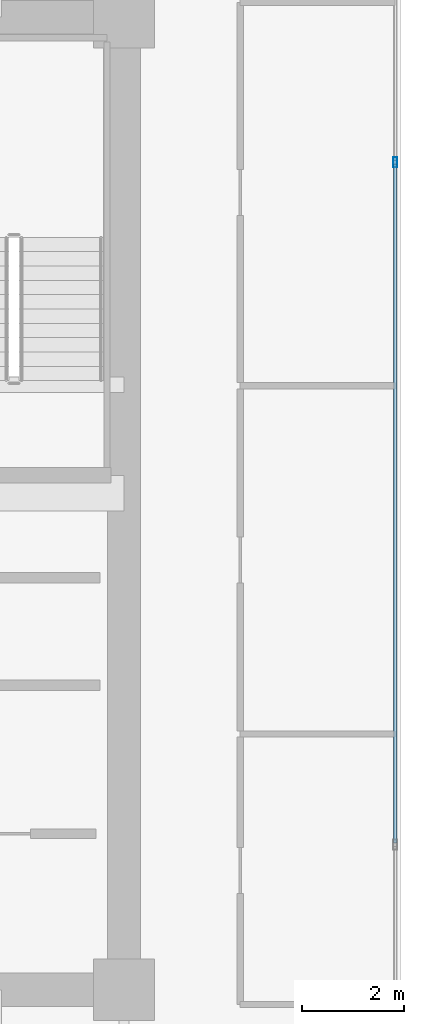
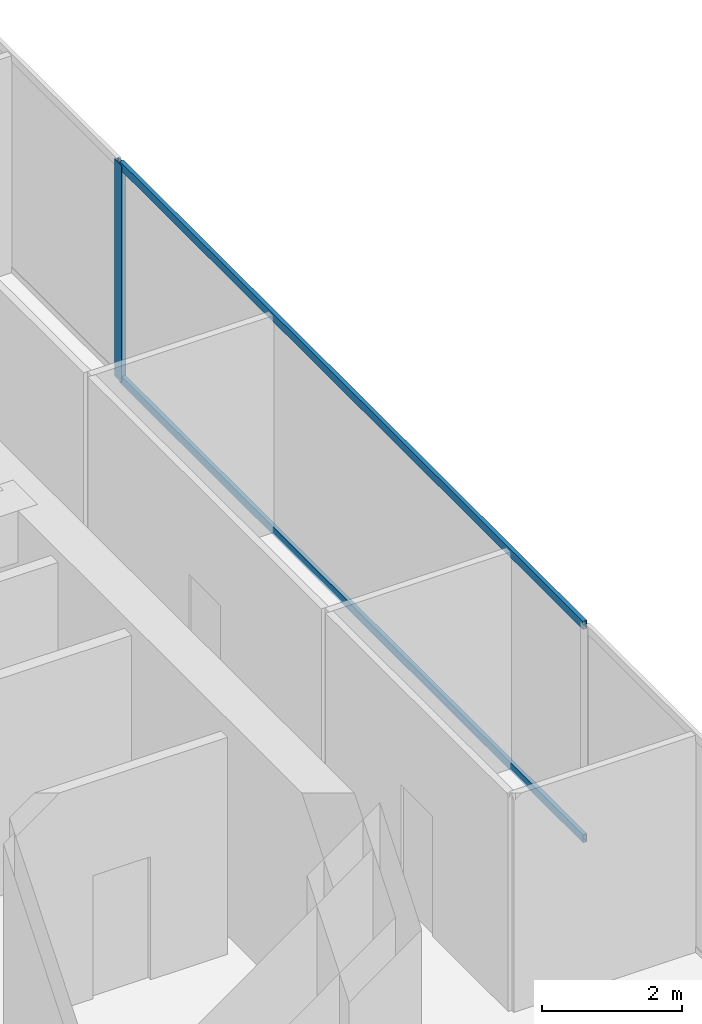
# One storey, part 22 of 30: 3 members, 1 element without a shape of its own.
"""IFC4 building model written with IfcOpenShell, lengths in metres."""

import ifcopenshell
import ifcopenshell.guid

model = None  # the IFC model being written
_history = None  # IfcOwnerHistory: only IFC2X3 demands one
_inside = {}  # id of a spatial element -> (the spatial element, [elements in it])
_under = {}  # id of a project, library or spatial element -> (it, [spatial elements below it])
_declared = {}  # id of a project -> (the project, [libraries it declares])
_typed = {}  # id of a type object -> (the type object, [elements of that type])
_made_of = {}  # id of a material, layer set ... -> (it, [elements and type objects made of it])


def new_model(schema):
    """Start an empty IFC model of exactly this schema.

    Asked for "IFC4X3", IfcOpenShell would pick the latest addendum, in which some entities
    have other attributes; the version numbers below select the first issue.
    IFC2X3 requires an IfcOwnerHistory on every rooted entity: one is made here for all.
    """
    global model, _history
    if schema == "IFC4X3":
        model = ifcopenshell.file(schema_version=(4, 3, 0, 0))
    else:
        model = ifcopenshell.file(schema=schema)
    _inside.clear()
    _under.clear()
    _declared.clear()
    _typed.clear()
    _made_of.clear()
    _history = None
    if model.schema == "IFC2X3":
        org = make("IfcOrganization", Name="unknown")
        user = make(
            "IfcPersonAndOrganization",
            ThePerson=make("IfcPerson", FamilyName="unknown"),
            TheOrganization=org,
        )
        app = make(
            "IfcApplication",
            ApplicationDeveloper=org,
            Version="unknown",
            ApplicationFullName="unknown",
            ApplicationIdentifier="unknown",
        )
        _history = make(
            "IfcOwnerHistory",
            OwningUser=user,
            OwningApplication=app,
            ChangeAction="ADDED",
            CreationDate=0,
        )
    return model


def make(cls, **values):
    """One entity of the class cls with the attributes given. An attribute that is None is left unset."""
    return model.create_entity(
        cls, **{name: value for name, value in values.items() if value is not None}
    )


def rooted(cls, **values):
    """An entity with a GlobalId (a new one), such as an element, a storey or a relation."""
    return make(cls, GlobalId=ifcopenshell.guid.new(), OwnerHistory=_history, **values)


def si_unit(unit_type, name, prefix=None):
    """IfcSIUnit, for example si_unit("LENGTHUNIT", "METRE", prefix="MILLI")."""
    return make("IfcSIUnit", UnitType=unit_type, Prefix=prefix, Name=name)


def assignment(units):
    """IfcUnitAssignment: the units of a project."""
    return None if units is None else make("IfcUnitAssignment", Units=units)


def point(xyz):
    """IfcCartesianPoint."""
    return None if xyz is None else make("IfcCartesianPoint", Coordinates=xyz)


def direction(xyz):
    """IfcDirection."""
    return None if xyz is None else make("IfcDirection", DirectionRatios=xyz)


def frame(location, z_axis=None, x_axis=None):
    """IfcAxis2Placement3D, a coordinate frame: its origin and axes. An axis left out is left unset."""
    return make(
        "IfcAxis2Placement3D",
        Location=point(location),
        Axis=direction(z_axis),
        RefDirection=direction(x_axis),
    )


def frame_2d(location, x_axis=None):
    """IfcAxis2Placement2D, a coordinate frame in the plane: its origin and x axis."""
    return make(
        "IfcAxis2Placement2D", Location=point(location), RefDirection=direction(x_axis)
    )


def origin():
    """The frame at (0, 0, 0) with its axes left unset."""
    return frame((0.0, 0.0, 0.0))


def origin_2d():
    """The frame at (0, 0) in the plane with its x axis left unset."""
    return frame_2d((0.0, 0.0))


def place(relative_to, where):
    """IfcLocalPlacement: puts the frame where relative to a parent placement (None: the world)."""
    return make(
        "IfcLocalPlacement", PlacementRelTo=relative_to, RelativePlacement=where
    )


def context(
    kind, dimensions, precision=None, world=None, true_north=None, identifier=None
):
    """IfcGeometricRepresentationContext, for example the 3D "Model" context."""
    return make(
        "IfcGeometricRepresentationContext",
        ContextIdentifier=identifier,
        ContextType=kind,
        CoordinateSpaceDimension=dimensions,
        Precision=precision,
        WorldCoordinateSystem=world,
        TrueNorth=true_north,
    )


def subcontext(parent, identifier, kind, view, scale=None):
    """IfcGeometricRepresentationSubContext, for example "Body" below "Model"."""
    return make(
        "IfcGeometricRepresentationSubContext",
        ContextIdentifier=identifier,
        ContextType=kind,
        ParentContext=parent,
        TargetScale=scale,
        TargetView=view,
    )


def project(units=None, contexts=None):
    """IfcProject with its units and contexts."""
    return rooted(
        "IfcProject",
        Name="project",
        RepresentationContexts=contexts,
        UnitsInContext=assignment(units),
    )


def spatial(cls, under=None, at=None, **own):
    """A site, building, storey or space (cls), placed at a placement, below another one or the project."""
    s = rooted(cls, ObjectPlacement=at, **own)
    if under is not None:
        _under.setdefault(under.id(), (under, []))[1].append(s)
    return s


def profile(cls, at=None, kind="AREA", **sizes):
    """A parametric profile (cls). Its sizes go by their IFC names, for example OverallWidth=200.0."""
    return make(cls, ProfileType=kind, Position=at, **sizes)


def hollow_rectangle(**sizes):
    """IfcRectangleHollowProfileDef."""
    return profile("IfcRectangleHollowProfileDef", **sizes)


def extrude(swept, where, along, depth):
    """IfcExtrudedAreaSolid: the profile swept, set in the frame where, extruded along a direction by depth."""
    return make(
        "IfcExtrudedAreaSolid",
        SweptArea=swept,
        Position=where,
        ExtrudedDirection=direction(along),
        Depth=depth,
    )


def shape(context_of_items, identifier, shape_type, items):
    """IfcShapeRepresentation: the items that make up one representation, for example the "Body"."""
    return make(
        "IfcShapeRepresentation",
        ContextOfItems=context_of_items,
        RepresentationIdentifier=identifier,
        RepresentationType=shape_type,
        Items=items,
    )


def source(mapping_origin, context_of_items, identifier, shape_type, items):
    """IfcRepresentationMap: a shape defined once, which mapped items show again and again."""
    return make(
        "IfcRepresentationMap",
        MappingOrigin=mapping_origin,
        MappedRepresentation=shape(context_of_items, identifier, shape_type, items),
    )


def transform(
    local_origin,
    x_axis=None,
    y_axis=None,
    z_axis=None,
    scale=None,
    scale2=None,
    scale3=None,
    uniform=True,
):
    """IfcCartesianTransformationOperator3D, or its non-uniform kind. x_axis, y_axis, z_axis: its Axis1, 2, 3."""
    if uniform:
        return make(
            "IfcCartesianTransformationOperator3D",
            Axis1=direction(x_axis),
            Axis2=direction(y_axis),
            LocalOrigin=point(local_origin),
            Scale=scale,
            Axis3=direction(z_axis),
        )
    return make(
        "IfcCartesianTransformationOperator3DnonUniform",
        Axis1=direction(x_axis),
        Axis2=direction(y_axis),
        LocalOrigin=point(local_origin),
        Scale=scale,
        Axis3=direction(z_axis),
        Scale2=scale2,
        Scale3=scale3,
    )


def mapped(mapping_source, mapping_target):
    """IfcMappedItem: shows the shape of a source again, moved by a transform."""
    return make(
        "IfcMappedItem", MappingSource=mapping_source, MappingTarget=mapping_target
    )


def material(Name=None, Category=None):
    """IfcMaterial."""
    return make("IfcMaterial", Name=Name, Category=Category)


def layer(
    of_material, thickness, ventilated=None, Name=None, Category=None, Priority=None
):
    """IfcMaterialLayer: one layer of a wall or slab, of a material (None: an air gap)."""
    return make(
        "IfcMaterialLayer",
        Material=of_material,
        LayerThickness=thickness,
        IsVentilated=ventilated,
        Name=Name,
        Category=Category,
        Priority=Priority,
    )


def layer_set(layers, Name=None):
    """IfcMaterialLayerSet."""
    return make("IfcMaterialLayerSet", MaterialLayers=layers, LayerSetName=Name)


def material_profile(
    of_material, cross_section, Name=None, Category=None, Priority=None
):
    """IfcMaterialProfile: a cross section and its material."""
    return make(
        "IfcMaterialProfile",
        Name=Name,
        Material=of_material,
        Profile=cross_section,
        Priority=Priority,
        Category=Category,
    )


def profile_set(profiles, Name=None, composite=None):
    """IfcMaterialProfileSet."""
    return make(
        "IfcMaterialProfileSet",
        Name=Name,
        MaterialProfiles=profiles,
        CompositeProfile=composite,
    )


def made_of(thing, what):
    """Note that an element or type object is made of a material, layer set ...; save() writes the relation."""
    if what is not None:
        _made_of.setdefault(what.id(), (what, []))[1].append(thing)
    return thing


def type_object(cls, material=None, **own):
    """A type object (cls), such as IfcWallType, which elements share."""
    return made_of(rooted(cls, **own), material)


def type_shapes(of_type, sources):
    """Give a type object the sources (RepresentationMaps) that its elements show as mapped items."""
    of_type.RepresentationMaps = sources


def element(
    cls,
    number,
    at=None,
    inside=None,
    cuts=None,
    type_object=None,
    material=None,
    context=None,
    identifier="Body",
    shape_type=None,
    held_by="IfcProductDefinitionShape",
    body=None,
    shapes=None,
    **own,
):
    """One element of the class cls, such as IfcWall. Its Tag is "e" and its number.

    at: its placement. inside: the storey or other place that contains it. cuts: it is an
    opening in that element (IfcRelVoidsElement). A single representation is given by context,
    identifier, shape_type and body (its items); several are given by shapes. held_by: the class
    of the entity that holds the representations. save() writes the other relations.
    """
    e = rooted(cls, Tag="e%d" % number, ObjectPlacement=at, **own)
    if body is not None:
        shapes = [shape(context, identifier, shape_type, body)]
    if shapes is not None:
        e.Representation = make(held_by, Representations=shapes)
    if inside is not None:
        _inside.setdefault(inside.id(), (inside, []))[1].append(e)
    if cuts is not None:
        rooted(
            "IfcRelVoidsElement", RelatingBuildingElement=cuts, RelatedOpeningElement=e
        )
    if type_object is not None:
        _typed.setdefault(type_object.id(), (type_object, []))[1].append(e)
    return made_of(e, material)


def aggregate(whole, parts):
    """IfcRelAggregates: a whole, such as a stair, and the parts it consists of."""
    return rooted("IfcRelAggregates", RelatingObject=whole, RelatedObjects=parts)


def save(model, path):
    """Write the relations noted so far, then the file.

    IfcRelAggregates (storeys below a building ...), IfcRelContainedInSpatialStructure (elements
    in a storey), IfcRelDefinesByType, IfcRelAssociatesMaterial and IfcRelDeclares: one each for
    every whole, place, type object, material and project.
    """
    for whole, parts in _under.values():
        aggregate(whole, parts)
    for where, things in _inside.values():
        rooted(
            "IfcRelContainedInSpatialStructure",
            RelatedElements=things,
            RelatingStructure=where,
        )
    for kind, things in _typed.values():
        rooted("IfcRelDefinesByType", RelatedObjects=things, RelatingType=kind)
    for what, things in _made_of.values():
        rooted("IfcRelAssociatesMaterial", RelatedObjects=things, RelatingMaterial=what)
    for by, libraries in _declared.values():
        rooted("IfcRelDeclares", RelatingContext=by, RelatedDefinitions=libraries)
    model.write(path)


model = new_model("IFC4")

# Units and contexts
model_context = context("Model", 3, precision=1e-05, world=origin(), true_north=direction((0.0, 1.0)))
body_context = subcontext(model_context, "Body", "Model", "MODEL_VIEW")
ifc_project = project(units=[si_unit("LENGTHUNIT", "METRE"), si_unit("AREAUNIT", "SQUARE_METRE"), si_unit("VOLUMEUNIT", "CUBIC_METRE"), si_unit("PLANEANGLEUNIT", "RADIAN"), si_unit("MASSUNIT", "GRAM", prefix="KILO")], contexts=[model_context])

# Site, building, storey
site_placement = place(None, origin())
site = spatial("IfcSite", under=ifc_project, at=site_placement, CompositionType="ELEMENT")
building_placement = place(site_placement, origin())
building = spatial("IfcBuilding", under=site, at=building_placement, Name="Haelvirn Gate Laboratories", CompositionType="ELEMENT")
storey_placement = place(building_placement, frame((0.0, 0.0, 142.0)))
storey = spatial("IfcBuildingStorey", under=building, at=storey_placement, Name="L34", CompositionType="ELEMENT", Elevation=142.0)

# Curtain wall, members
ifc_material_1 = material(Name="Anodised bronze unitised aluminium & triple low-E glass", Category="aluminium")
ifc_layer = layer(ifc_material_1, 0.179931640625, Name="CW-SYS-3")
ifc_layer_set = layer_set([ifc_layer], Name="Anodised bronze unitised aluminium & triple low-E glass")
curtain_wall_type = type_object("IfcCurtainWallType", Name="CW-SYS-3", PredefinedType="NOTDEFINED", material=ifc_layer_set)
curtain_wall_placement = place(storey_placement, origin())
curtain_wall = element("IfcCurtainWall", 1, at=curtain_wall_placement, inside=storey, type_object=curtain_wall_type, Name="L34 Unitised Curtain Wall CW-L34-P0-E07", PredefinedType="NOTDEFINED")
ifc_material_2 = material(Name="Extruded aluminium 6063-T6 (anodised bronze)", Category="aluminium")
ifc_material_profile_1 = material_profile(ifc_material_2, hollow_rectangle(XDim=0.06494140625, YDim=0.139892578125, WallThickness=0.00390625, at=origin_2d()), Name="CWT-140x65x4")
ifc_profile_set_1 = profile_set([ifc_material_profile_1], Name="Extruded aluminium 6063-T6 (anodised bronze)")
member_type_1 = type_object("IfcMemberType", Name="CWT-T140", PredefinedType="USERDEFINED", material=ifc_profile_set_1)
shared_shape_1 = source(origin(), body_context, "Body", "SweptSolid", [
    extrude(hollow_rectangle(XDim=0.06494140625, YDim=0.139892578125, WallThickness=0.00390625, at=origin_2d()), origin(), (0.0, 0.0, 1.0), 13.25830078125),
])
type_shapes(member_type_1, [shared_shape_1])
member_1_placement = place(storey_placement, frame((72.699951171875, 17.6708984375, 0.032470703125), z_axis=(0.0, 1.0, 0.0), x_axis=(-1.0, 0.0, 0.0)))
member_1 = element("IfcMember", 2, at=member_1_placement, type_object=member_type_1, Name="CW3 transom 2.1", ObjectType="TRANSOM", PredefinedType="USERDEFINED", context=body_context, shape_type="MappedRepresentation", body=[
    mapped(shared_shape_1, transform((0.0, 0.0, 0.0), scale=1.0)),
])
member_2_placement = place(storey_placement, frame((72.699951171875, 17.6708984375, 3.757568359375), z_axis=(0.0, 1.0, 0.0), x_axis=(-1.0, 0.0, 0.0)))
member_2 = element("IfcMember", 3, at=member_2_placement, type_object=member_type_1, Name="CW3 transom 2.2", ObjectType="TRANSOM", PredefinedType="USERDEFINED", context=body_context, shape_type="MappedRepresentation", body=[
    mapped(shared_shape_1, transform((0.0, 0.0, 0.0), scale=1.0)),
])
ifc_material_profile_2 = material_profile(ifc_material_2, hollow_rectangle(XDim=0.074951171875, YDim=0.199951171875, WallThickness=0.0048828125, at=origin_2d()), Name="CWM-200x75x5")
ifc_profile_set_2 = profile_set([ifc_material_profile_2], Name="Extruded aluminium 6063-T6 (anodised bronze)")
member_type_2 = type_object("IfcMemberType", Name="CWM-T200", PredefinedType="MULLION", material=ifc_profile_set_2)
shared_shape_2 = source(origin(), body_context, "Body", "SweptSolid", [
    extrude(hollow_rectangle(XDim=0.074951171875, YDim=0.199951171875, WallThickness=0.0048828125, at=origin_2d()), origin(), (0.0, 0.0, 1.0), 3.7900390625),
])
type_shapes(member_type_2, [shared_shape_2])
member_3_placement = place(storey_placement, frame((72.699951171875, 30.966552734375, 0.0), z_axis=(0.0, 0.0, 1.0), x_axis=(-1.0, 0.0, 0.0)))
member_3 = element("IfcMember", 4, at=member_3_placement, type_object=member_type_2, Name="CW3 mullion 3", PredefinedType="MULLION", context=body_context, shape_type="MappedRepresentation", body=[
    mapped(shared_shape_2, transform((0.0, 0.0, 0.0), scale=1.0)),
])
aggregate(curtain_wall, [member_3, member_1, member_2])

save(model, "model.ifc")
